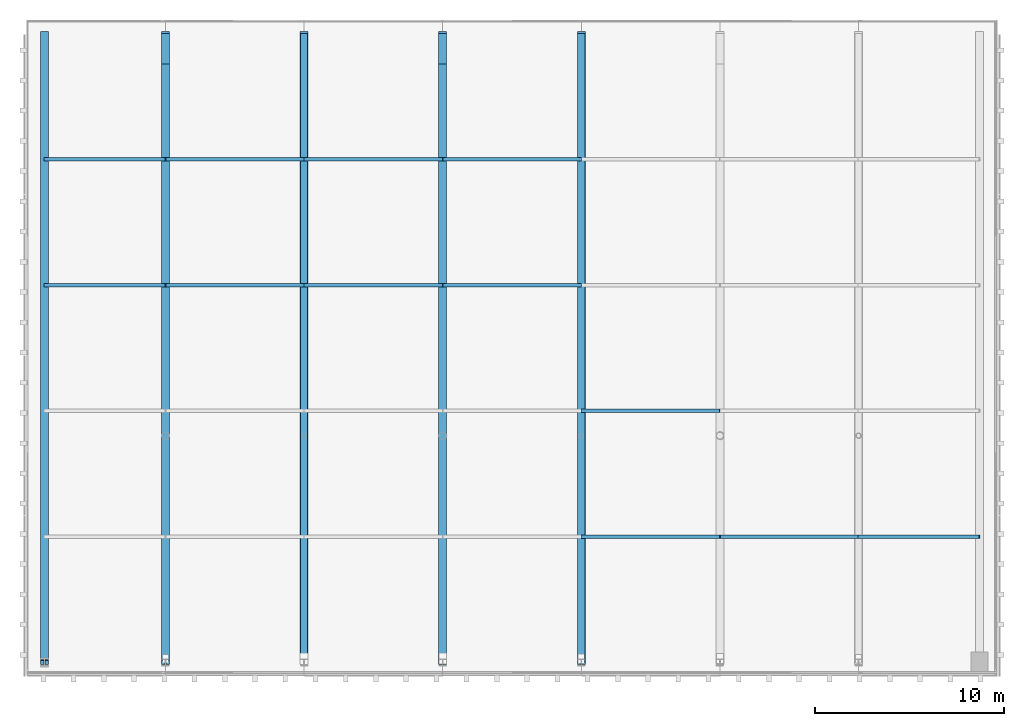
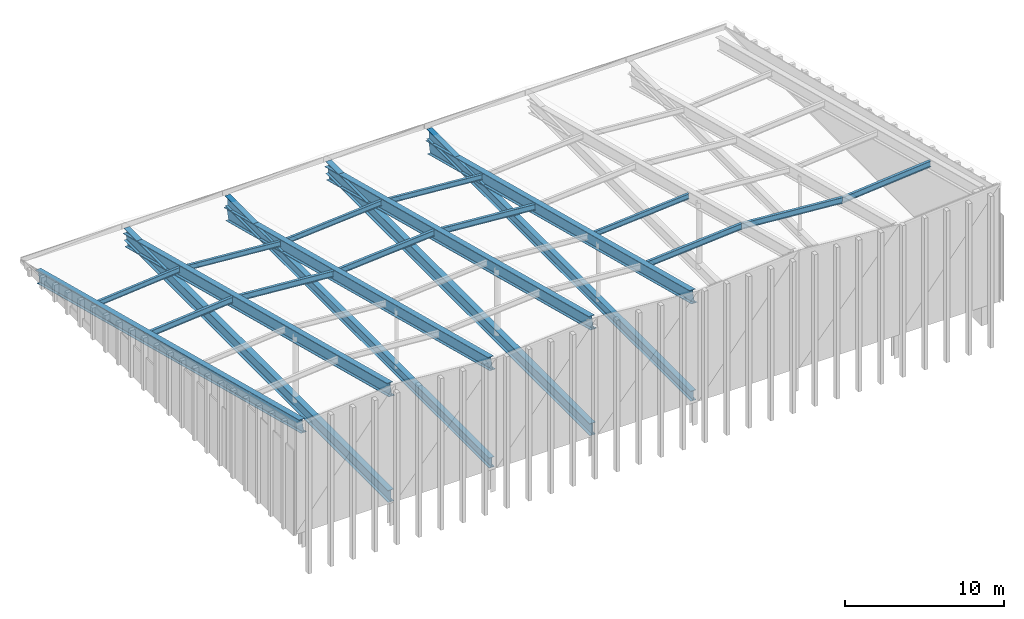
# One storey, part 4 of 8: 16 members, 5 beams.
"""IFC4 building model written with IfcOpenShell, lengths in metres."""

import ifcopenshell
import ifcopenshell.guid

model = None  # the IFC model being written
_history = None  # IfcOwnerHistory: only IFC2X3 demands one
_inside = {}  # id of a spatial element -> (the spatial element, [elements in it])
_under = {}  # id of a project, library or spatial element -> (it, [spatial elements below it])
_declared = {}  # id of a project -> (the project, [libraries it declares])
_typed = {}  # id of a type object -> (the type object, [elements of that type])
_made_of = {}  # id of a material, layer set ... -> (it, [elements and type objects made of it])


def new_model(schema):
    """Start an empty IFC model of exactly this schema.

    Asked for "IFC4X3", IfcOpenShell would pick the latest addendum, in which some entities
    have other attributes; the version numbers below select the first issue.
    IFC2X3 requires an IfcOwnerHistory on every rooted entity: one is made here for all.
    """
    global model, _history
    if schema == "IFC4X3":
        model = ifcopenshell.file(schema_version=(4, 3, 0, 0))
    else:
        model = ifcopenshell.file(schema=schema)
    _inside.clear()
    _under.clear()
    _declared.clear()
    _typed.clear()
    _made_of.clear()
    _history = None
    if model.schema == "IFC2X3":
        org = make("IfcOrganization", Name="unknown")
        user = make(
            "IfcPersonAndOrganization",
            ThePerson=make("IfcPerson", FamilyName="unknown"),
            TheOrganization=org,
        )
        app = make(
            "IfcApplication",
            ApplicationDeveloper=org,
            Version="unknown",
            ApplicationFullName="unknown",
            ApplicationIdentifier="unknown",
        )
        _history = make(
            "IfcOwnerHistory",
            OwningUser=user,
            OwningApplication=app,
            ChangeAction="ADDED",
            CreationDate=0,
        )
    return model


def make(cls, **values):
    """One entity of the class cls with the attributes given. An attribute that is None is left unset."""
    return model.create_entity(
        cls, **{name: value for name, value in values.items() if value is not None}
    )


def rooted(cls, **values):
    """An entity with a GlobalId (a new one), such as an element, a storey or a relation."""
    return make(cls, GlobalId=ifcopenshell.guid.new(), OwnerHistory=_history, **values)


def si_unit(unit_type, name, prefix=None):
    """IfcSIUnit, for example si_unit("LENGTHUNIT", "METRE", prefix="MILLI")."""
    return make("IfcSIUnit", UnitType=unit_type, Prefix=prefix, Name=name)


def assignment(units):
    """IfcUnitAssignment: the units of a project."""
    return None if units is None else make("IfcUnitAssignment", Units=units)


def point(xyz):
    """IfcCartesianPoint."""
    return None if xyz is None else make("IfcCartesianPoint", Coordinates=xyz)


def direction(xyz):
    """IfcDirection."""
    return None if xyz is None else make("IfcDirection", DirectionRatios=xyz)


def frame(location, z_axis=None, x_axis=None):
    """IfcAxis2Placement3D, a coordinate frame: its origin and axes. An axis left out is left unset."""
    return make(
        "IfcAxis2Placement3D",
        Location=point(location),
        Axis=direction(z_axis),
        RefDirection=direction(x_axis),
    )


def frame_2d(location, x_axis=None):
    """IfcAxis2Placement2D, a coordinate frame in the plane: its origin and x axis."""
    return make(
        "IfcAxis2Placement2D", Location=point(location), RefDirection=direction(x_axis)
    )


def origin():
    """The frame at (0, 0, 0) with its axes left unset."""
    return frame((0.0, 0.0, 0.0))


def origin_2d():
    """The frame at (0, 0) in the plane with its x axis left unset."""
    return frame_2d((0.0, 0.0))


def place(relative_to, where):
    """IfcLocalPlacement: puts the frame where relative to a parent placement (None: the world)."""
    return make(
        "IfcLocalPlacement", PlacementRelTo=relative_to, RelativePlacement=where
    )


def context(
    kind, dimensions, precision=None, world=None, true_north=None, identifier=None
):
    """IfcGeometricRepresentationContext, for example the 3D "Model" context."""
    return make(
        "IfcGeometricRepresentationContext",
        ContextIdentifier=identifier,
        ContextType=kind,
        CoordinateSpaceDimension=dimensions,
        Precision=precision,
        WorldCoordinateSystem=world,
        TrueNorth=true_north,
    )


def subcontext(parent, identifier, kind, view, scale=None):
    """IfcGeometricRepresentationSubContext, for example "Body" below "Model"."""
    return make(
        "IfcGeometricRepresentationSubContext",
        ContextIdentifier=identifier,
        ContextType=kind,
        ParentContext=parent,
        TargetScale=scale,
        TargetView=view,
    )


def project(units=None, contexts=None):
    """IfcProject with its units and contexts."""
    return rooted(
        "IfcProject",
        Name="project",
        RepresentationContexts=contexts,
        UnitsInContext=assignment(units),
    )


def spatial(cls, under=None, at=None, **own):
    """A site, building, storey or space (cls), placed at a placement, below another one or the project."""
    s = rooted(cls, ObjectPlacement=at, **own)
    if under is not None:
        _under.setdefault(under.id(), (under, []))[1].append(s)
    return s


def profile(cls, at=None, kind="AREA", **sizes):
    """A parametric profile (cls). Its sizes go by their IFC names, for example OverallWidth=200.0."""
    return make(cls, ProfileType=kind, Position=at, **sizes)


def i_section(**sizes):
    """IfcIShapeProfileDef."""
    return profile("IfcIShapeProfileDef", **sizes)


def extrude(swept, where, along, depth):
    """IfcExtrudedAreaSolid: the profile swept, set in the frame where, extruded along a direction by depth."""
    return make(
        "IfcExtrudedAreaSolid",
        SweptArea=swept,
        Position=where,
        ExtrudedDirection=direction(along),
        Depth=depth,
    )


def shape(context_of_items, identifier, shape_type, items):
    """IfcShapeRepresentation: the items that make up one representation, for example the "Body"."""
    return make(
        "IfcShapeRepresentation",
        ContextOfItems=context_of_items,
        RepresentationIdentifier=identifier,
        RepresentationType=shape_type,
        Items=items,
    )


def material(Name=None, Category=None):
    """IfcMaterial."""
    return make("IfcMaterial", Name=Name, Category=Category)


def material_profile(
    of_material, cross_section, Name=None, Category=None, Priority=None
):
    """IfcMaterialProfile: a cross section and its material."""
    return make(
        "IfcMaterialProfile",
        Name=Name,
        Material=of_material,
        Profile=cross_section,
        Priority=Priority,
        Category=Category,
    )


def profile_set(profiles, Name=None, composite=None):
    """IfcMaterialProfileSet."""
    return make(
        "IfcMaterialProfileSet",
        Name=Name,
        MaterialProfiles=profiles,
        CompositeProfile=composite,
    )


def made_of(thing, what):
    """Note that an element or type object is made of a material, layer set ...; save() writes the relation."""
    if what is not None:
        _made_of.setdefault(what.id(), (what, []))[1].append(thing)
    return thing


def type_object(cls, material=None, **own):
    """A type object (cls), such as IfcWallType, which elements share."""
    return made_of(rooted(cls, **own), material)


def element(
    cls,
    number,
    at=None,
    inside=None,
    cuts=None,
    type_object=None,
    material=None,
    context=None,
    identifier="Body",
    shape_type=None,
    held_by="IfcProductDefinitionShape",
    body=None,
    shapes=None,
    **own,
):
    """One element of the class cls, such as IfcWall. Its Tag is "e" and its number.

    at: its placement. inside: the storey or other place that contains it. cuts: it is an
    opening in that element (IfcRelVoidsElement). A single representation is given by context,
    identifier, shape_type and body (its items); several are given by shapes. held_by: the class
    of the entity that holds the representations. save() writes the other relations.
    """
    e = rooted(cls, Tag="e%d" % number, ObjectPlacement=at, **own)
    if body is not None:
        shapes = [shape(context, identifier, shape_type, body)]
    if shapes is not None:
        e.Representation = make(held_by, Representations=shapes)
    if inside is not None:
        _inside.setdefault(inside.id(), (inside, []))[1].append(e)
    if cuts is not None:
        rooted(
            "IfcRelVoidsElement", RelatingBuildingElement=cuts, RelatedOpeningElement=e
        )
    if type_object is not None:
        _typed.setdefault(type_object.id(), (type_object, []))[1].append(e)
    return made_of(e, material)


def aggregate(whole, parts):
    """IfcRelAggregates: a whole, such as a stair, and the parts it consists of."""
    return rooted("IfcRelAggregates", RelatingObject=whole, RelatedObjects=parts)


def save(model, path):
    """Write the relations noted so far, then the file.

    IfcRelAggregates (storeys below a building ...), IfcRelContainedInSpatialStructure (elements
    in a storey), IfcRelDefinesByType, IfcRelAssociatesMaterial and IfcRelDeclares: one each for
    every whole, place, type object, material and project.
    """
    for whole, parts in _under.values():
        aggregate(whole, parts)
    for where, things in _inside.values():
        rooted(
            "IfcRelContainedInSpatialStructure",
            RelatedElements=things,
            RelatingStructure=where,
        )
    for kind, things in _typed.values():
        rooted("IfcRelDefinesByType", RelatedObjects=things, RelatingType=kind)
    for what, things in _made_of.values():
        rooted("IfcRelAssociatesMaterial", RelatedObjects=things, RelatingMaterial=what)
    for by, libraries in _declared.values():
        rooted("IfcRelDeclares", RelatingContext=by, RelatedDefinitions=libraries)
    model.write(path)


model = new_model("IFC4")

# Units and contexts
model_context = context("Model", 3, precision=1e-05, world=origin(), true_north=direction((0.0, 1.0)))
body_context = subcontext(model_context, "Body", "Model", "MODEL_VIEW")
ifc_project = project(units=[si_unit("LENGTHUNIT", "METRE"), si_unit("AREAUNIT", "SQUARE_METRE"), si_unit("VOLUMEUNIT", "CUBIC_METRE"), si_unit("PLANEANGLEUNIT", "RADIAN"), si_unit("MASSUNIT", "GRAM", prefix="KILO")], contexts=[model_context])

# Site, building, storey
site_placement = place(None, origin())
site = spatial("IfcSite", under=ifc_project, at=site_placement, CompositionType="ELEMENT")
building_placement = place(site_placement, origin())
building = spatial("IfcBuilding", under=site, at=building_placement, Name="Trimount Lyric Opera House", CompositionType="ELEMENT")
storey_placement = place(building_placement, frame((0.0, 0.0, 34.199951171875)))
storey = spatial("IfcBuildingStorey", under=building, at=storey_placement, Name="RF", CompositionType="ELEMENT", Elevation=34.199951171875)

# Beams
ifc_material_1 = material(Name="Steel ASTM A992 Grade 50", Category="steel")
ifc_material_profile_1 = material_profile(ifc_material_1, i_section(OverallWidth=0.424072265625, OverallDepth=0.947021484375, WebThickness=0.02392578125, FlangeThickness=0.042724609375, FilletRadius=0.02392578125, at=origin_2d()), Name="W36X302")
ifc_profile_set_1 = profile_set([ifc_material_profile_1], Name="Steel ASTM A992 Grade 50")
beam_type_1 = type_object("IfcBeamType", Name="B-01", PredefinedType="BEAM", material=ifc_profile_set_1)
for number, where, z_axis, x_axis, name in (
    (1, (70.6572265625, 84.0, 8.236572265625), (0.0, 0.967982968346, -0.25101588195), (-1.0, 0.0, 0.0), "Fly-tower folded roof ridge girder 2"),
    (2, (85.33154296875, 84.0, 8.236572265625), (0.0, 0.967982968346, -0.25101588195), (-1.0, 0.0, 0.0), "Fly-tower folded roof ridge girder 4"),
):
    element("IfcBeam", number, at=place(storey_placement, frame(where, z_axis=z_axis, x_axis=x_axis)), inside=storey, type_object=beam_type_1, Name=name, PredefinedType="BEAM", context=body_context, shape_type="SweptSolid", body=[
        extrude(i_section(OverallWidth=0.424072265625, OverallDepth=0.947021484375, WebThickness=0.02392578125, FlangeThickness=0.042724609375, FilletRadius=0.02392578125, at=origin_2d()), origin(), (0.0, 0.0, 1.0), 34.380859375),
    ])
ifc_material_2 = material(Name="Steel ASTM A992 Grade 50", Category="steel")
ifc_material_profile_2 = material_profile(ifc_material_2, i_section(OverallWidth=0.4189453125, OverallDepth=0.927001953125, WebThickness=0.019287109375, FlangeThickness=0.031982421875, FilletRadius=0.02392578125, at=origin_2d()), Name="W36X231")
ifc_profile_set_2 = profile_set([ifc_material_profile_2], Name="Steel ASTM A992 Grade 50")
beam_type_2 = type_object("IfcBeamType", Name="B-02", PredefinedType="BEAM", material=ifc_profile_set_2)
for number, where, z_axis, x_axis, name in (
    (3, (64.260009765625, 84.0, 7.66650390625), (0.0, 0.967984693739, -0.25100922829), (-1.0, 0.0, 0.0), "Fly-tower folded roof valley girder 1"),
    (4, (77.994384765625, 84.0, 7.66650390625), (0.0, 0.967984693739, -0.25100922829), (-1.0, 0.0, 0.0), "Fly-tower folded roof valley girder 3"),
    (5, (92.66845703125, 84.0, 7.66650390625), (0.0, 0.967984693739, -0.25100922829), (-1.0, 0.0, 0.0), "Fly-tower folded roof valley girder 5"),
):
    element("IfcBeam", number, at=place(storey_placement, frame(where, z_axis=z_axis, x_axis=x_axis)), inside=storey, type_object=beam_type_2, Name=name, PredefinedType="BEAM", context=body_context, shape_type="SweptSolid", body=[
        extrude(i_section(OverallWidth=0.4189453125, OverallDepth=0.927001953125, WebThickness=0.019287109375, FlangeThickness=0.031982421875, FilletRadius=0.02392578125, at=origin_2d()), origin(), (0.0, 0.0, 1.0), 34.380859375),
    ])

# Members
ifc_material_3 = material(Name="Steel ASTM A992 Grade 50", Category="steel")
ifc_material_profile_3 = material_profile(ifc_material_3, i_section(OverallWidth=0.4189453125, OverallDepth=0.927001953125, WebThickness=0.019287109375, FlangeThickness=0.031982421875, FilletRadius=0.02392578125, at=origin_2d()), Name="W36X231")
ifc_profile_set_3 = profile_set([ifc_material_profile_3], Name="Steel ASTM A992 Grade 50")
member_type_1 = type_object("IfcMemberType", Name="CH-01", PredefinedType="CHORD", material=ifc_profile_set_3)
for number, where, z_axis, x_axis, name in (
    (6, (70.6572265625, 84.0, 0.050048828125), (0.0, 1.0, 0.0), (-1.0, 0.0, 0.0), "Fly-tower roof bottom tie chord 2"),
    (7, (85.33154296875, 84.0, 0.050048828125), (0.0, 1.0, 0.0), (-1.0, 0.0, 0.0), "Fly-tower roof bottom tie chord 4"),
):
    element("IfcMember", number, at=place(storey_placement, frame(where, z_axis=z_axis, x_axis=x_axis)), inside=storey, type_object=member_type_1, Name=name, PredefinedType="CHORD", context=body_context, shape_type="SweptSolid", body=[
        extrude(i_section(OverallWidth=0.4189453125, OverallDepth=0.927001953125, WebThickness=0.019287109375, FlangeThickness=0.031982421875, FilletRadius=0.02392578125, at=origin_2d()), origin(), (0.0, 0.0, 1.0), 33.280029296875),
    ])
ifc_material_4 = material(Name="Steel ASTM A992 Grade 50", Category="steel")
ifc_material_profile_4 = material_profile(ifc_material_4, i_section(OverallWidth=0.382080078125, OverallDepth=0.779052734375, WebThickness=0.01806640625, FlangeThickness=0.0302734375, FilletRadius=0.01904296875, at=origin_2d()), Name="W30X191")
ifc_profile_set_4 = profile_set([ifc_material_profile_4], Name="Steel ASTM A992 Grade 50")
member_type_2 = type_object("IfcMemberType", Name="CH-02", PredefinedType="CHORD", material=ifc_profile_set_4)
for number, where, z_axis, x_axis, name in (
    (8, (77.994384765625, 84.0, 0.050048828125), (0.0, 1.0, 0.0), (-1.0, 0.0, 0.0), "Fly-tower roof bottom tie chord 3"),
    (9, (92.66845703125, 84.0, 0.050048828125), (0.0, 1.0, 0.0), (-1.0, 0.0, 0.0), "Fly-tower roof bottom tie chord 5"),
):
    element("IfcMember", number, at=place(storey_placement, frame(where, z_axis=z_axis, x_axis=x_axis)), inside=storey, type_object=member_type_2, Name=name, PredefinedType="CHORD", context=body_context, shape_type="SweptSolid", body=[
        extrude(i_section(OverallWidth=0.382080078125, OverallDepth=0.779052734375, WebThickness=0.01806640625, FlangeThickness=0.0302734375, FilletRadius=0.01904296875, at=origin_2d()), origin(), (0.0, 0.0, 1.0), 33.280029296875),
    ])
ifc_material_5 = material(Name="Steel ASTM A992 Grade 50", Category="steel")
ifc_material_profile_5 = material_profile(ifc_material_5, i_section(OverallWidth=0.177978515625, OverallDepth=0.404052734375, WebThickness=0.007568359375, FlangeThickness=0.010986328125, FilletRadius=0.010009765625, at=origin_2d()), Name="W16X36")
ifc_profile_set_5 = profile_set([ifc_material_profile_5], Name="Steel ASTM A992 Grade 50")
member_type_3 = type_object("IfcMemberType", Name="PR-01", PredefinedType="CHORD", material=ifc_profile_set_5)
member_1_placement = place(storey_placement, frame((64.260009765625, 110.6240234375, 0.762451171875), z_axis=(0.996053023158, 0.0, 0.088760211009), x_axis=(0.0, 1.0, 0.0)))
element("IfcMember", 10, at=member_1_placement, inside=storey, type_object=member_type_3, Name="Fly-tower roof purlin 1.4", PredefinedType="CHORD", context=body_context, shape_type="SweptSolid", body=[
    extrude(i_section(OverallWidth=0.177978515625, OverallDepth=0.404052734375, WebThickness=0.007568359375, FlangeThickness=0.010986328125, FilletRadius=0.010009765625, at=origin_2d()), origin(), (0.0, 0.0, 1.0), 6.422607421875),
])
for number, where, z_axis, x_axis, name in (
    (11, (70.6572265625, 110.6240234375, 1.33251953125), (0.996995257509, 0.0, -0.077462613592), (0.0, 1.0, 0.0), "Fly-tower roof purlin 2.4"),
    (12, (77.994384765625, 110.6240234375, 0.762451171875), (0.996995257509, 0.0, 0.077462613592), (0.0, 1.0, 0.0), "Fly-tower roof purlin 3.4"),
):
    element("IfcMember", number, at=place(storey_placement, frame(where, z_axis=z_axis, x_axis=x_axis)), inside=storey, type_object=member_type_3, Name=name, PredefinedType="CHORD", context=body_context, shape_type="SweptSolid", body=[
        extrude(i_section(OverallWidth=0.177978515625, OverallDepth=0.404052734375, WebThickness=0.007568359375, FlangeThickness=0.010986328125, FilletRadius=0.010009765625, at=origin_2d()), origin(), (0.0, 0.0, 1.0), 7.359375),
    ])
member_2_placement = place(storey_placement, frame((85.33154296875, 110.6240234375, 1.33251953125), z_axis=(0.996995058437, 0.0, -0.077465175744), x_axis=(0.0, 1.0, 0.0)))
element("IfcMember", 13, at=member_2_placement, inside=storey, type_object=member_type_3, Name="Fly-tower roof purlin 4.4", PredefinedType="CHORD", context=body_context, shape_type="SweptSolid", body=[
    extrude(i_section(OverallWidth=0.177978515625, OverallDepth=0.404052734375, WebThickness=0.007568359375, FlangeThickness=0.010986328125, FilletRadius=0.010009765625, at=origin_2d()), origin(), (0.0, 0.0, 1.0), 7.359130859375),
])
member_3_placement = place(storey_placement, frame((92.66845703125, 97.31201171875, 4.214599609375), z_axis=(0.996995257509, 0.0, 0.077462613592), x_axis=(0.0, 1.0, 0.0)))
element("IfcMember", 14, at=member_3_placement, inside=storey, type_object=member_type_3, Name="Fly-tower roof purlin 5.2", PredefinedType="CHORD", context=body_context, shape_type="SweptSolid", body=[
    extrude(i_section(OverallWidth=0.177978515625, OverallDepth=0.404052734375, WebThickness=0.007568359375, FlangeThickness=0.010986328125, FilletRadius=0.010009765625, at=origin_2d()), origin(), (0.0, 0.0, 1.0), 7.359375),
])
ifc_material_6 = material(Name="Steel ASTM A992 Grade 50", Category="steel")
ifc_material_profile_6 = material_profile(ifc_material_6, i_section(OverallWidth=0.19091796875, OverallDepth=0.45703125, WebThickness=0.009033203125, FlangeThickness=0.014404296875, FilletRadius=0.010986328125, at=origin_2d()), Name="W18X50")
ifc_profile_set_6 = profile_set([ifc_material_profile_6], Name="Steel ASTM A992 Grade 50")
member_type_4 = type_object("IfcMemberType", Name="PR-02", PredefinedType="CHORD", material=ifc_profile_set_6)
member_4_placement = place(storey_placement, frame((64.260009765625, 103.968017578125, 2.488525390625), z_axis=(0.996053023158, 0.0, 0.088760211009), x_axis=(0.0, 1.0, 0.0)))
element("IfcMember", 15, at=member_4_placement, inside=storey, type_object=member_type_4, Name="Fly-tower roof purlin 1.3", PredefinedType="CHORD", context=body_context, shape_type="SweptSolid", body=[
    extrude(i_section(OverallWidth=0.19091796875, OverallDepth=0.45703125, WebThickness=0.009033203125, FlangeThickness=0.014404296875, FilletRadius=0.010986328125, at=origin_2d()), origin(), (0.0, 0.0, 1.0), 6.422607421875),
])
for number, where, z_axis, x_axis, name in (
    (16, (70.6572265625, 103.968017578125, 3.05859375), (0.996995257509, 0.0, -0.077462613592), (0.0, 1.0, 0.0), "Fly-tower roof purlin 2.3"),
    (17, (77.994384765625, 103.968017578125, 2.488525390625), (0.996995257509, 0.0, 0.077462613592), (0.0, 1.0, 0.0), "Fly-tower roof purlin 3.3"),
):
    element("IfcMember", number, at=place(storey_placement, frame(where, z_axis=z_axis, x_axis=x_axis)), inside=storey, type_object=member_type_4, Name=name, PredefinedType="CHORD", context=body_context, shape_type="SweptSolid", body=[
        extrude(i_section(OverallWidth=0.19091796875, OverallDepth=0.45703125, WebThickness=0.009033203125, FlangeThickness=0.014404296875, FilletRadius=0.010986328125, at=origin_2d()), origin(), (0.0, 0.0, 1.0), 7.359375),
    ])
member_5_placement = place(storey_placement, frame((85.33154296875, 103.968017578125, 3.05859375), z_axis=(0.996995058437, 0.0, -0.077465175744), x_axis=(0.0, 1.0, 0.0)))
element("IfcMember", 18, at=member_5_placement, inside=storey, type_object=member_type_4, Name="Fly-tower roof purlin 4.3", PredefinedType="CHORD", context=body_context, shape_type="SweptSolid", body=[
    extrude(i_section(OverallWidth=0.19091796875, OverallDepth=0.45703125, WebThickness=0.009033203125, FlangeThickness=0.014404296875, FilletRadius=0.010986328125, at=origin_2d()), origin(), (0.0, 0.0, 1.0), 7.359130859375),
])
for number, where, z_axis, x_axis, name in (
    (19, (92.66845703125, 90.656005859375, 5.9404296875), (0.996995257509, 0.0, 0.077462613592), (0.0, 1.0, 0.0), "Fly-tower roof purlin 5.1"),
    (20, (100.005615234375, 90.656005859375, 6.510498046875), (0.996995257509, 0.0, -0.077462613592), (0.0, 1.0, 0.0), "Fly-tower roof purlin 6.1"),
):
    element("IfcMember", number, at=place(storey_placement, frame(where, z_axis=z_axis, x_axis=x_axis)), inside=storey, type_object=member_type_4, Name=name, PredefinedType="CHORD", context=body_context, shape_type="SweptSolid", body=[
        extrude(i_section(OverallWidth=0.19091796875, OverallDepth=0.45703125, WebThickness=0.009033203125, FlangeThickness=0.014404296875, FilletRadius=0.010986328125, at=origin_2d()), origin(), (0.0, 0.0, 1.0), 7.359375),
    ])
member_6_placement = place(storey_placement, frame((107.3427734375, 90.656005859375, 5.9404296875), z_axis=(0.996053023158, 0.0, 0.088760211009), x_axis=(0.0, 1.0, 0.0)))
element("IfcMember", 21, at=member_6_placement, inside=storey, type_object=member_type_4, Name="Fly-tower roof purlin 7.1", PredefinedType="CHORD", context=body_context, shape_type="SweptSolid", body=[
    extrude(i_section(OverallWidth=0.19091796875, OverallDepth=0.45703125, WebThickness=0.009033203125, FlangeThickness=0.014404296875, FilletRadius=0.010986328125, at=origin_2d()), origin(), (0.0, 0.0, 1.0), 6.422607421875),
])

save(model, "model.ifc")
